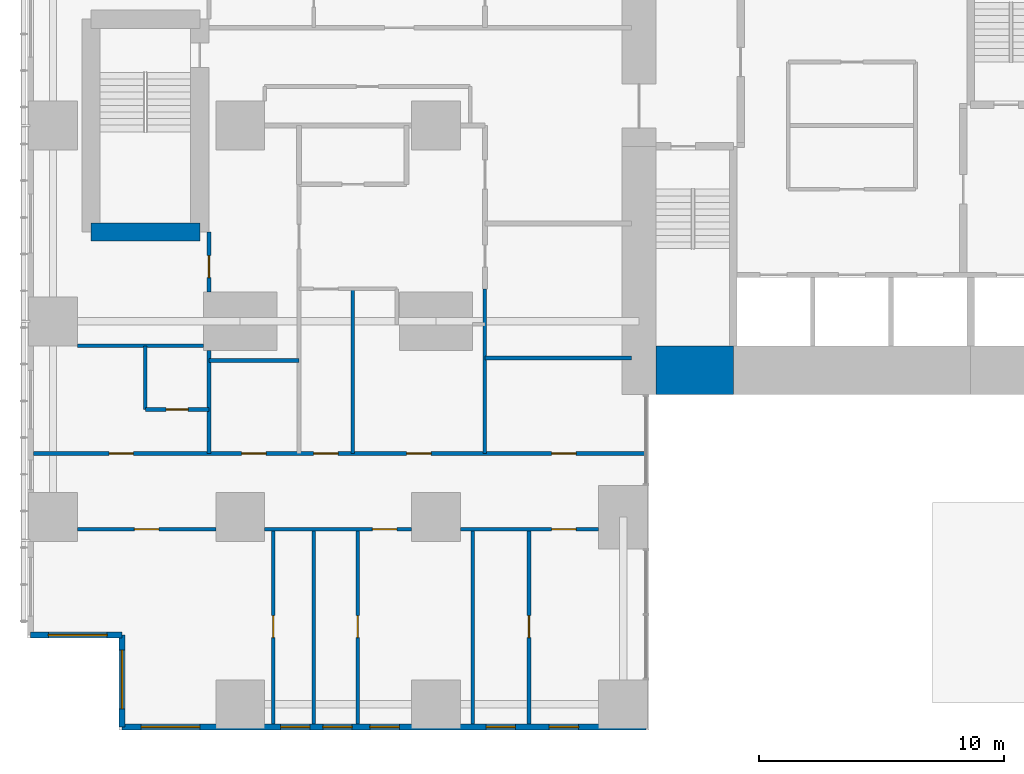
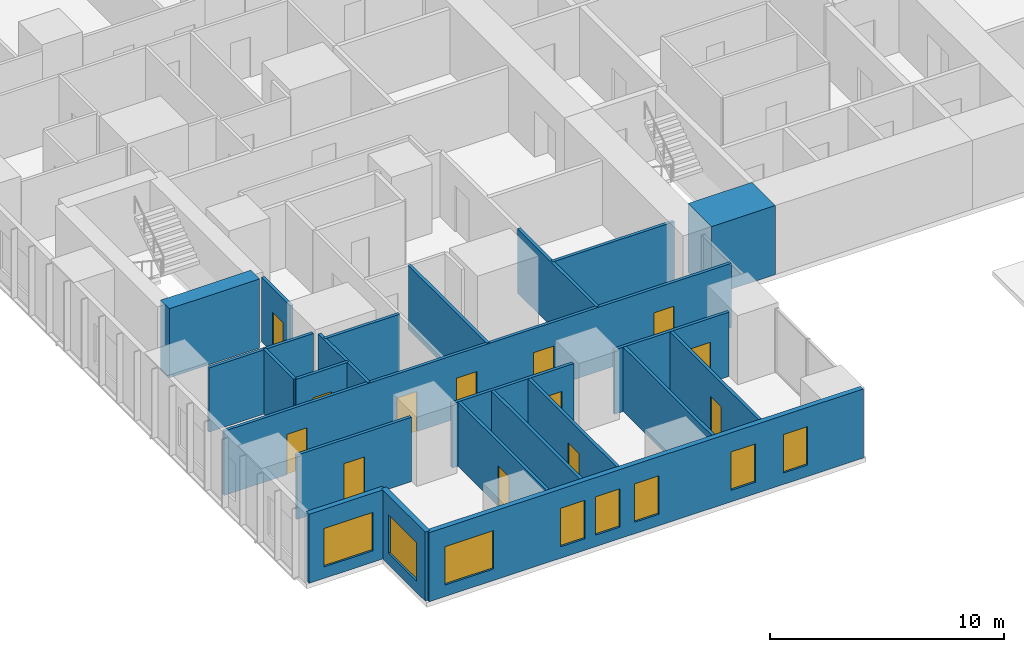
# One storey, part 14 of 22: 23 walls, 13 doors, 8 windows, 21 openings.
"""IFC4 building model written with IfcOpenShell, lengths in metres."""

from ifc_helpers import new_model, si_unit, direction, frame, frame_2d, origin, place, context, subcontext, project, spatial, rectangle, extrude, material, layer, layer_set, type_object, element, fill, save


model = new_model("IFC4")

# Units and contexts
model_context = context("Model", 3, precision=1e-05, world=origin(), true_north=direction((0.0, 1.0)))
body_context = subcontext(model_context, "Body", "Model", "MODEL_VIEW")
ifc_project = project(units=[si_unit("LENGTHUNIT", "METRE"), si_unit("AREAUNIT", "SQUARE_METRE"), si_unit("VOLUMEUNIT", "CUBIC_METRE"), si_unit("PLANEANGLEUNIT", "RADIAN"), si_unit("MASSUNIT", "GRAM", prefix="KILO")], contexts=[model_context])

# Site, building, storey
site_placement = place(None, origin())
site = spatial("IfcSite", under=ifc_project, at=site_placement, CompositionType="ELEMENT")
building_placement = place(site_placement, origin())
building = spatial("IfcBuilding", under=site, at=building_placement, Name="Cleftline Residences", CompositionType="ELEMENT")
storey_placement = place(building_placement, frame((0.0, 0.0, 29.60009765625)))
storey = spatial("IfcBuildingStorey", under=building, at=storey_placement, Name="L06", CompositionType="ELEMENT", Elevation=29.60009765625)

# Wall
ifc_material_1 = material(Name="Concrete B70", Category="concrete")
ifc_layer_1 = layer(ifc_material_1, 2.0)
ifc_layer_set_1 = layer_set([ifc_layer_1], Name="CORE WALL 2000")
wall_type_1 = type_object("IfcWallType", Name="CORE WALL 2000", PredefinedType="SHEAR", material=ifc_layer_set_1)
wall_1_placement = place(storey_placement, frame((25.0, 14.0, 0.0), z_axis=(0.0, 0.0, 1.0), x_axis=(1.0, 0.0, 0.0)))
element("IfcWall", 1, at=wall_1_placement, inside=storey, type_object=wall_type_1, Name="Core wall S1", PredefinedType="SHEAR", context=body_context, shape_type="SweptSolid", body=[
    extrude(rectangle(XDim=3.14990234375, YDim=2.0, at=frame_2d((1.574951171875, 0.0))), origin(), (0.0, 0.0, 1.0), 3.599853515625),
])

# Wall, opening, window
ifc_material_2 = material(Name="Rendered reinforced concrete blockwork", Category="masonry")
ifc_layer_2 = layer(ifc_material_2, 0.25)
ifc_layer_set_2 = layer_set([ifc_layer_2], Name="EXTERNAL WALL 250")
wall_type_2 = type_object("IfcWallType", Name="EXTERNAL WALL 250", PredefinedType="SOLIDWALL", material=ifc_layer_set_2)
wall_2_placement = place(storey_placement, frame((-0.574951171875, 3.175048828125, 0.0), z_axis=(0.0, 0.0, 1.0), x_axis=(1.0, 0.0, 0.0)))
wall_2 = element("IfcWall", 2, at=wall_2_placement, inside=storey, type_object=wall_type_2, Name="External wall", PredefinedType="SOLIDWALL", context=body_context, shape_type="SweptSolid", body=[
    extrude(rectangle(XDim=3.75, YDim=0.25, at=frame_2d((1.875, 0.0))), origin(), (0.0, 0.0, 1.0), 3.599853515625),
])
opening_1_placement = place(wall_2_placement, frame((0.737548828125, 0.0, 0.60009765625)))
opening_1 = element("IfcOpeningElement", 3, at=opening_1_placement, cuts=wall_2, Name="Opening W6", PredefinedType="OPENING", context=body_context, shape_type="SweptSolid", body=[
    extrude(rectangle(XDim=2.39990234375, YDim=2.0, at=frame_2d((1.199951171875, 1.0))), frame((0.0, 0.135009765625, 0.0), z_axis=(0.0, -1.0, 0.0), x_axis=(1.0, 0.0, 0.0)), (0.0, 0.0, 1.0), 0.27001953125),
])
ifc_material_3 = material(Name="Aluminium frame, clear double glazing", Category="aluminium")
window_type_1 = type_object("IfcWindowType", Name="WINDOW 2400X2000", PartitioningType="DOUBLE_PANEL_VERTICAL", PredefinedType="WINDOW", material=ifc_material_3)
window_1_placement = place(opening_1_placement, origin())
window_1 = element("IfcWindow", 4, at=window_1_placement, inside=storey, type_object=window_type_1, Name="Window", OverallHeight=2.0, OverallWidth=2.39990234375, PartitioningType="SINGLE_PANEL", PredefinedType="WINDOW", context=body_context, shape_type="SweptSolid", body=[
    extrude(rectangle(XDim=2.39990234375, YDim=2.0, at=frame_2d((1.199951171875, 1.0))), frame((0.0, 0.030029296875, 0.0), z_axis=(0.0, -1.0, 0.0), x_axis=(1.0, 0.0, 0.0)), (0.0, 0.0, 1.0), 0.06005859375),
])
fill(opening_1, window_1)

wall_3_placement = place(storey_placement, frame((3.175048828125, 3.175048828125, 0.0), z_axis=(0.0, 0.0, 1.0), x_axis=(0.0, -1.0, 0.0)))
wall_3 = element("IfcWall", 5, at=wall_3_placement, inside=storey, type_object=wall_type_2, Name="External wall", PredefinedType="SOLIDWALL", context=body_context, shape_type="SweptSolid", body=[
    extrude(rectangle(XDim=3.75, YDim=0.25, at=frame_2d((1.875, 0.0))), origin(), (0.0, 0.0, 1.0), 3.599853515625),
])
opening_2_placement = place(wall_3_placement, frame((0.612548828125, 0.0, 0.60009765625)))
opening_2 = element("IfcOpeningElement", 6, at=opening_2_placement, cuts=wall_3, Name="Opening W6", PredefinedType="OPENING", context=body_context, shape_type="SweptSolid", body=[
    extrude(rectangle(XDim=2.39990234375, YDim=2.0, at=frame_2d((1.199951171875, 1.0))), frame((0.0, 0.135009765625, 0.0), z_axis=(0.0, -1.0, 0.0), x_axis=(1.0, 0.0, 0.0)), (0.0, 0.0, 1.0), 0.27001953125),
])
window_2_placement = place(opening_2_placement, origin())
window_2 = element("IfcWindow", 7, at=window_2_placement, inside=storey, type_object=window_type_1, Name="Window", OverallHeight=2.0, OverallWidth=2.39990234375, PartitioningType="SINGLE_PANEL", PredefinedType="WINDOW", context=body_context, shape_type="SweptSolid", body=[
    extrude(rectangle(XDim=2.39990234375, YDim=2.0, at=frame_2d((1.199951171875, 1.0))), frame((0.0, 0.030029296875, 0.0), z_axis=(0.0, -1.0, 0.0), x_axis=(1.0, 0.0, 0.0)), (0.0, 0.0, 1.0), 0.06005859375),
])
fill(opening_2, window_2)

# Wall, openings, windows
wall_4_placement = place(storey_placement, frame((3.175048828125, -0.574951171875, 0.0), z_axis=(0.0, 0.0, 1.0), x_axis=(1.0, 0.0, 0.0)))
wall_4 = element("IfcWall", 8, at=wall_4_placement, inside=storey, type_object=wall_type_2, Name="External wall", PredefinedType="SOLIDWALL", context=body_context, shape_type="SweptSolid", body=[
    extrude(rectangle(XDim=21.39990234375, YDim=0.25, at=frame_2d((10.699951171875, 0.0))), origin(), (0.0, 0.0, 1.0), 3.599853515625),
])
opening_3_placement = place(wall_4_placement, frame((0.77490234375, 0.0, 0.60009765625)))
opening_3 = element("IfcOpeningElement", 9, at=opening_3_placement, cuts=wall_4, Name="Opening W6", PredefinedType="OPENING", context=body_context, shape_type="SweptSolid", body=[
    extrude(rectangle(XDim=2.39990234375, YDim=2.0, at=frame_2d((1.199951171875, 1.0))), frame((0.0, 0.135009765625, 0.0), z_axis=(0.0, -1.0, 0.0), x_axis=(1.0, 0.0, 0.0)), (0.0, 0.0, 1.0), 0.27001953125),
])
opening_4_placement = place(wall_4_placement, frame((6.47509765625, 0.0, 0.60009765625)))
opening_4 = element("IfcOpeningElement", 10, at=opening_4_placement, cuts=wall_4, Name="Opening W8", PredefinedType="OPENING", context=body_context, shape_type="SweptSolid", body=[
    extrude(rectangle(XDim=1.199951171875, YDim=2.0, at=frame_2d((0.60009765625, 1.0))), frame((0.0, 0.135009765625, 0.0), z_axis=(0.0, -1.0, 0.0), x_axis=(1.0, 0.0, 0.0)), (0.0, 0.0, 1.0), 0.27001953125),
])
opening_5_placement = place(wall_4_placement, frame((8.199951171875, 0.0, 0.60009765625)))
opening_5 = element("IfcOpeningElement", 11, at=opening_5_placement, cuts=wall_4, Name="Opening W8", PredefinedType="OPENING", context=body_context, shape_type="SweptSolid", body=[
    extrude(rectangle(XDim=1.199951171875, YDim=2.0, at=frame_2d((0.60009765625, 1.0))), frame((0.0, 0.135009765625, 0.0), z_axis=(0.0, -1.0, 0.0), x_axis=(1.0, 0.0, 0.0)), (0.0, 0.0, 1.0), 0.27001953125),
])
opening_6_placement = place(wall_4_placement, frame((10.125, 0.0, 0.60009765625)))
opening_6 = element("IfcOpeningElement", 12, at=opening_6_placement, cuts=wall_4, Name="Opening W8", PredefinedType="OPENING", context=body_context, shape_type="SweptSolid", body=[
    extrude(rectangle(XDim=1.199951171875, YDim=2.0, at=frame_2d((0.60009765625, 1.0))), frame((0.0, 0.135009765625, 0.0), z_axis=(0.0, -1.0, 0.0), x_axis=(1.0, 0.0, 0.0)), (0.0, 0.0, 1.0), 0.27001953125),
])
opening_7_placement = place(wall_4_placement, frame((14.875, 0.0, 0.60009765625)))
opening_7 = element("IfcOpeningElement", 13, at=opening_7_placement, cuts=wall_4, Name="Opening W8", PredefinedType="OPENING", context=body_context, shape_type="SweptSolid", body=[
    extrude(rectangle(XDim=1.199951171875, YDim=2.0, at=frame_2d((0.60009765625, 1.0))), frame((0.0, 0.135009765625, 0.0), z_axis=(0.0, -1.0, 0.0), x_axis=(1.0, 0.0, 0.0)), (0.0, 0.0, 1.0), 0.27001953125),
])
opening_8_placement = place(wall_4_placement, frame((17.449951171875, 0.0, 0.60009765625)))
opening_8 = element("IfcOpeningElement", 14, at=opening_8_placement, cuts=wall_4, Name="Opening W8", PredefinedType="OPENING", context=body_context, shape_type="SweptSolid", body=[
    extrude(rectangle(XDim=1.199951171875, YDim=2.0, at=frame_2d((0.60009765625, 1.0))), frame((0.0, 0.135009765625, 0.0), z_axis=(0.0, -1.0, 0.0), x_axis=(1.0, 0.0, 0.0)), (0.0, 0.0, 1.0), 0.27001953125),
])
ifc_material_4 = material(Name="Aluminium frame, clear double glazing", Category="aluminium")
window_type_2 = type_object("IfcWindowType", Name="WINDOW 1200X2000", PartitioningType="DOUBLE_PANEL_VERTICAL", PredefinedType="WINDOW", material=ifc_material_4)
window_3_placement = place(opening_4_placement, origin())
window_3 = element("IfcWindow", 15, at=window_3_placement, inside=storey, type_object=window_type_2, Name="Window", OverallHeight=2.0, OverallWidth=1.199951171875, PartitioningType="SINGLE_PANEL", PredefinedType="WINDOW", context=body_context, shape_type="SweptSolid", body=[
    extrude(rectangle(XDim=1.199951171875, YDim=2.0, at=frame_2d((0.60009765625, 1.0))), frame((0.0, 0.030029296875, 0.0), z_axis=(0.0, -1.0, 0.0), x_axis=(1.0, 0.0, 0.0)), (0.0, 0.0, 1.0), 0.06005859375),
])
fill(opening_4, window_3)
window_4_placement = place(opening_5_placement, origin())
window_4 = element("IfcWindow", 16, at=window_4_placement, inside=storey, type_object=window_type_2, Name="Window", OverallHeight=2.0, OverallWidth=1.199951171875, PartitioningType="SINGLE_PANEL", PredefinedType="WINDOW", context=body_context, shape_type="SweptSolid", body=[
    extrude(rectangle(XDim=1.199951171875, YDim=2.0, at=frame_2d((0.60009765625, 1.0))), frame((0.0, 0.030029296875, 0.0), z_axis=(0.0, -1.0, 0.0), x_axis=(1.0, 0.0, 0.0)), (0.0, 0.0, 1.0), 0.06005859375),
])
fill(opening_5, window_4)
window_5_placement = place(opening_6_placement, origin())
window_5 = element("IfcWindow", 17, at=window_5_placement, inside=storey, type_object=window_type_2, Name="Window", OverallHeight=2.0, OverallWidth=1.199951171875, PartitioningType="SINGLE_PANEL", PredefinedType="WINDOW", context=body_context, shape_type="SweptSolid", body=[
    extrude(rectangle(XDim=1.199951171875, YDim=2.0, at=frame_2d((0.60009765625, 1.0))), frame((0.0, 0.030029296875, 0.0), z_axis=(0.0, -1.0, 0.0), x_axis=(1.0, 0.0, 0.0)), (0.0, 0.0, 1.0), 0.06005859375),
])
fill(opening_6, window_5)
window_6_placement = place(opening_7_placement, origin())
window_6 = element("IfcWindow", 18, at=window_6_placement, inside=storey, type_object=window_type_2, Name="Window", OverallHeight=2.0, OverallWidth=1.199951171875, PartitioningType="SINGLE_PANEL", PredefinedType="WINDOW", context=body_context, shape_type="SweptSolid", body=[
    extrude(rectangle(XDim=1.199951171875, YDim=2.0, at=frame_2d((0.60009765625, 1.0))), frame((0.0, 0.030029296875, 0.0), z_axis=(0.0, -1.0, 0.0), x_axis=(1.0, 0.0, 0.0)), (0.0, 0.0, 1.0), 0.06005859375),
])
fill(opening_7, window_6)
window_7_placement = place(opening_8_placement, origin())
window_7 = element("IfcWindow", 19, at=window_7_placement, inside=storey, type_object=window_type_2, Name="Window", OverallHeight=2.0, OverallWidth=1.199951171875, PartitioningType="SINGLE_PANEL", PredefinedType="WINDOW", context=body_context, shape_type="SweptSolid", body=[
    extrude(rectangle(XDim=1.199951171875, YDim=2.0, at=frame_2d((0.60009765625, 1.0))), frame((0.0, 0.030029296875, 0.0), z_axis=(0.0, -1.0, 0.0), x_axis=(1.0, 0.0, 0.0)), (0.0, 0.0, 1.0), 0.06005859375),
])
fill(opening_8, window_7)
window_8_placement = place(opening_3_placement, origin())
window_8 = element("IfcWindow", 20, at=window_8_placement, inside=storey, type_object=window_type_1, Name="Window", OverallHeight=2.0, OverallWidth=2.39990234375, PartitioningType="SINGLE_PANEL", PredefinedType="WINDOW", context=body_context, shape_type="SweptSolid", body=[
    extrude(rectangle(XDim=2.39990234375, YDim=2.0, at=frame_2d((1.199951171875, 1.0))), frame((0.0, 0.030029296875, 0.0), z_axis=(0.0, -1.0, 0.0), x_axis=(1.0, 0.0, 0.0)), (0.0, 0.0, 1.0), 0.06005859375),
])
fill(opening_3, window_8)

# Wall, opening, door
ifc_material_5 = material(Name="Gypsum board on steel studs", Category="steel")
ifc_layer_3 = layer(ifc_material_5, 0.14990234375)
ifc_layer_set_3 = layer_set([ifc_layer_3], Name="PARTITION 150")
wall_type_3 = type_object("IfcWallType", Name="PARTITION 150", PredefinedType="PARTITIONING", material=ifc_layer_set_3)
wall_5_placement = place(storey_placement, frame((1.35009765625, 7.5, 0.0), z_axis=(0.0, 0.0, 1.0), x_axis=(1.0, 0.0, 0.0)))
wall_5 = element("IfcWall", 21, at=wall_5_placement, inside=storey, type_object=wall_type_3, Name="Partition", PredefinedType="PARTITIONING", context=body_context, shape_type="SweptSolid", body=[
    extrude(rectangle(XDim=5.64990234375, YDim=0.14990234375, at=frame_2d((2.824951171875, 0.0))), origin(), (0.0, 0.0, 1.0), 3.349853515625),
])
opening_9_placement = place(wall_5_placement, frame((2.324951171875, 0.0, 0.0)))
opening_9 = element("IfcOpeningElement", 22, at=opening_9_placement, cuts=wall_5, Name="Opening D2", PredefinedType="OPENING", context=body_context, shape_type="SweptSolid", body=[
    extrude(rectangle(XDim=1.0, YDim=2.10009765625, at=frame_2d((0.5, 1.050048828125))), frame((0.0, 0.0849609375, 0.0), z_axis=(0.0, -1.0, 0.0), x_axis=(1.0, 0.0, 0.0)), (0.0, 0.0, 1.0), 0.169921875),
])
ifc_material_6 = material(Name="Timber veneer on solid core", Category="wood")
door_type_1 = type_object("IfcDoorType", Name="DOOR 1000X2100", OperationType="SINGLE_SWING_LEFT", PredefinedType="DOOR", material=ifc_material_6)
door_1_placement = place(opening_9_placement, origin())
door_1 = element("IfcDoor", 23, at=door_1_placement, inside=storey, type_object=door_type_1, Name="Door to living room", OperationType="SINGLE_SWING_LEFT", OverallHeight=2.10009765625, OverallWidth=1.0, PredefinedType="DOOR", context=body_context, shape_type="SweptSolid", body=[
    extrude(rectangle(XDim=1.0, YDim=2.10009765625, at=frame_2d((0.5, 1.050048828125))), frame((0.0, 0.02490234375, 0.0), z_axis=(0.0, -1.0, 0.0), x_axis=(1.0, 0.0, 0.0)), (0.0, 0.0, 1.0), 0.050048828125),
])
fill(opening_9, door_1)

wall_6_placement = place(storey_placement, frame((9.0, 7.5, 0.0), z_axis=(0.0, 0.0, 1.0), x_axis=(1.0, 0.0, 0.0)))
wall_6 = element("IfcWall", 24, at=wall_6_placement, inside=storey, type_object=wall_type_3, Name="Partition", PredefinedType="PARTITIONING", context=body_context, shape_type="SweptSolid", body=[
    extrude(rectangle(XDim=6.0, YDim=0.14990234375, at=frame_2d((3.0, 0.0))), origin(), (0.0, 0.0, 1.0), 3.349853515625),
])
opening_10_placement = place(wall_6_placement, frame((4.39990234375, 0.0, 0.0)))
opening_10 = element("IfcOpeningElement", 25, at=opening_10_placement, cuts=wall_6, Name="Opening D2", PredefinedType="OPENING", context=body_context, shape_type="SweptSolid", body=[
    extrude(rectangle(XDim=1.0, YDim=2.10009765625, at=frame_2d((0.5, 1.050048828125))), frame((0.0, 0.0849609375, 0.0), z_axis=(0.0, -1.0, 0.0), x_axis=(1.0, 0.0, 0.0)), (0.0, 0.0, 1.0), 0.169921875),
])
door_2_placement = place(opening_10_placement, origin())
door_2 = element("IfcDoor", 26, at=door_2_placement, inside=storey, type_object=door_type_1, Name="Door to bedroom 2", OperationType="SINGLE_SWING_LEFT", OverallHeight=2.10009765625, OverallWidth=1.0, PredefinedType="DOOR", context=body_context, shape_type="SweptSolid", body=[
    extrude(rectangle(XDim=1.0, YDim=2.10009765625, at=frame_2d((0.5, 1.050048828125))), frame((0.0, 0.02490234375, 0.0), z_axis=(0.0, -1.0, 0.0), x_axis=(1.0, 0.0, 0.0)), (0.0, 0.0, 1.0), 0.050048828125),
])
fill(opening_10, door_2)

wall_7_placement = place(storey_placement, frame((17.0, 7.5, 0.0), z_axis=(0.0, 0.0, 1.0), x_axis=(1.0, 0.0, 0.0)))
wall_7 = element("IfcWall", 27, at=wall_7_placement, inside=storey, type_object=wall_type_3, Name="Partition", PredefinedType="PARTITIONING", context=body_context, shape_type="SweptSolid", body=[
    extrude(rectangle(XDim=5.64990234375, YDim=0.14990234375, at=frame_2d((2.824951171875, 0.0))), origin(), (0.0, 0.0, 1.0), 3.349853515625),
])
opening_11_placement = place(wall_7_placement, frame((3.72509765625, 0.0, 0.0)))
opening_11 = element("IfcOpeningElement", 28, at=opening_11_placement, cuts=wall_7, Name="Opening D2", PredefinedType="OPENING", context=body_context, shape_type="SweptSolid", body=[
    extrude(rectangle(XDim=1.0, YDim=2.10009765625, at=frame_2d((0.5, 1.050048828125))), frame((0.0, 0.0849609375, 0.0), z_axis=(0.0, -1.0, 0.0), x_axis=(1.0, 0.0, 0.0)), (0.0, 0.0, 1.0), 0.169921875),
])
door_3_placement = place(opening_11_placement, origin())
door_3 = element("IfcDoor", 29, at=door_3_placement, inside=storey, type_object=door_type_1, Name="Door to bedroom 3", OperationType="SINGLE_SWING_LEFT", OverallHeight=2.10009765625, OverallWidth=1.0, PredefinedType="DOOR", context=body_context, shape_type="SweptSolid", body=[
    extrude(rectangle(XDim=1.0, YDim=2.10009765625, at=frame_2d((0.5, 1.050048828125))), frame((0.0, 0.02490234375, 0.0), z_axis=(0.0, -1.0, 0.0), x_axis=(1.0, 0.0, 0.0)), (0.0, 0.0, 1.0), 0.050048828125),
])
fill(opening_11, door_3)

# Wall, openings, doors
wall_8_placement = place(storey_placement, frame((-0.449951171875, 10.60009765625, 0.0), z_axis=(0.0, 0.0, 1.0), x_axis=(1.0, 0.0, 0.0)))
wall_8 = element("IfcWall", 30, at=wall_8_placement, inside=storey, type_object=wall_type_3, Name="Partition", PredefinedType="PARTITIONING", context=body_context, shape_type="SweptSolid", body=[
    extrude(rectangle(XDim=25.010986328125, YDim=0.14990234375, at=frame_2d((12.50537109375, 0.0))), origin(), (0.0, 0.0, 1.0), 3.349853515625),
])
opening_12_placement = place(wall_8_placement, frame((11.449951171875, 0.0, 0.0)))
opening_12 = element("IfcOpeningElement", 31, at=opening_12_placement, cuts=wall_8, Name="Opening D2", PredefinedType="OPENING", context=body_context, shape_type="SweptSolid", body=[
    extrude(rectangle(XDim=1.0, YDim=2.10009765625, at=frame_2d((0.5, 1.050048828125))), frame((0.0, 0.0849609375, 0.0), z_axis=(0.0, -1.0, 0.0), x_axis=(1.0, 0.0, 0.0)), (0.0, 0.0, 1.0), 0.169921875),
])
opening_13_placement = place(wall_8_placement, frame((3.08740234375, 0.0, 0.0)))
opening_13 = element("IfcOpeningElement", 32, at=opening_13_placement, cuts=wall_8, Name="Opening D2", PredefinedType="OPENING", context=body_context, shape_type="SweptSolid", body=[
    extrude(rectangle(XDim=1.0, YDim=2.10009765625, at=frame_2d((0.5, 1.050048828125))), frame((0.0, 0.0849609375, 0.0), z_axis=(0.0, -1.0, 0.0), x_axis=(1.0, 0.0, 0.0)), (0.0, 0.0, 1.0), 0.169921875),
])
opening_14_placement = place(wall_8_placement, frame((8.512451171875, 0.0, 0.0)))
opening_14 = element("IfcOpeningElement", 33, at=opening_14_placement, cuts=wall_8, Name="Opening D2", PredefinedType="OPENING", context=body_context, shape_type="SweptSolid", body=[
    extrude(rectangle(XDim=1.0, YDim=2.10009765625, at=frame_2d((0.5, 1.050048828125))), frame((0.0, 0.0849609375, 0.0), z_axis=(0.0, -1.0, 0.0), x_axis=(1.0, 0.0, 0.0)), (0.0, 0.0, 1.0), 0.169921875),
])
opening_15_placement = place(wall_8_placement, frame((15.25, 0.0, 0.0)))
opening_15 = element("IfcOpeningElement", 34, at=opening_15_placement, cuts=wall_8, Name="Opening D2", PredefinedType="OPENING", context=body_context, shape_type="SweptSolid", body=[
    extrude(rectangle(XDim=1.0, YDim=2.10009765625, at=frame_2d((0.5, 1.050048828125))), frame((0.0, 0.0849609375, 0.0), z_axis=(0.0, -1.0, 0.0), x_axis=(1.0, 0.0, 0.0)), (0.0, 0.0, 1.0), 0.169921875),
])
opening_16_placement = place(wall_8_placement, frame((21.175048828125, 0.0, 0.0)))
opening_16 = element("IfcOpeningElement", 35, at=opening_16_placement, cuts=wall_8, Name="Opening D2", PredefinedType="OPENING", context=body_context, shape_type="SweptSolid", body=[
    extrude(rectangle(XDim=1.0, YDim=2.10009765625, at=frame_2d((0.5, 1.050048828125))), frame((0.0, 0.0849609375, 0.0), z_axis=(0.0, -1.0, 0.0), x_axis=(1.0, 0.0, 0.0)), (0.0, 0.0, 1.0), 0.169921875),
])
door_4_placement = place(opening_12_placement, origin())
door_4 = element("IfcDoor", 36, at=door_4_placement, inside=storey, type_object=door_type_1, Name="Door to residence hall", OperationType="SINGLE_SWING_RIGHT", OverallHeight=2.10009765625, OverallWidth=1.0, PredefinedType="DOOR", context=body_context, shape_type="SweptSolid", body=[
    extrude(rectangle(XDim=1.0, YDim=2.10009765625, at=frame_2d((0.5, 1.050048828125))), frame((0.0, 0.02490234375, 0.0), z_axis=(0.0, -1.0, 0.0), x_axis=(1.0, 0.0, 0.0)), (0.0, 0.0, 1.0), 0.050048828125),
])
fill(opening_12, door_4)
door_5_placement = place(opening_13_placement, origin())
door_5 = element("IfcDoor", 37, at=door_5_placement, inside=storey, type_object=door_type_1, Name="Door to master bedroom", OperationType="SINGLE_SWING_RIGHT", OverallHeight=2.10009765625, OverallWidth=1.0, PredefinedType="DOOR", context=body_context, shape_type="SweptSolid", body=[
    extrude(rectangle(XDim=1.0, YDim=2.10009765625, at=frame_2d((0.5, 1.050048828125))), frame((0.0, 0.02490234375, 0.0), z_axis=(0.0, -1.0, 0.0), x_axis=(1.0, 0.0, 0.0)), (0.0, 0.0, 1.0), 0.050048828125),
])
fill(opening_13, door_5)
door_6_placement = place(opening_14_placement, origin())
door_6 = element("IfcDoor", 38, at=door_6_placement, inside=storey, type_object=door_type_1, Name="Door to show kitchen", OperationType="SINGLE_SWING_RIGHT", OverallHeight=2.10009765625, OverallWidth=1.0, PredefinedType="DOOR", context=body_context, shape_type="SweptSolid", body=[
    extrude(rectangle(XDim=1.0, YDim=2.10009765625, at=frame_2d((0.5, 1.050048828125))), frame((0.0, 0.02490234375, 0.0), z_axis=(0.0, -1.0, 0.0), x_axis=(1.0, 0.0, 0.0)), (0.0, 0.0, 1.0), 0.050048828125),
])
fill(opening_14, door_6)
door_7_placement = place(opening_15_placement, origin())
door_7 = element("IfcDoor", 39, at=door_7_placement, inside=storey, type_object=door_type_1, Name="Door to dining room", OperationType="SINGLE_SWING_LEFT", OverallHeight=2.10009765625, OverallWidth=1.0, PredefinedType="DOOR", context=body_context, shape_type="SweptSolid", body=[
    extrude(rectangle(XDim=1.0, YDim=2.10009765625, at=frame_2d((0.5, 1.050048828125))), frame((0.0, 0.02490234375, 0.0), z_axis=(0.0, -1.0, 0.0), x_axis=(1.0, 0.0, 0.0)), (0.0, 0.0, 1.0), 0.050048828125),
])
fill(opening_15, door_7)
door_8_placement = place(opening_16_placement, origin())
door_8 = element("IfcDoor", 40, at=door_8_placement, inside=storey, type_object=door_type_1, Name="Door to wet kitchen", OperationType="SINGLE_SWING_LEFT", OverallHeight=2.10009765625, OverallWidth=1.0, PredefinedType="DOOR", context=body_context, shape_type="SweptSolid", body=[
    extrude(rectangle(XDim=1.0, YDim=2.10009765625, at=frame_2d((0.5, 1.050048828125))), frame((0.0, 0.02490234375, 0.0), z_axis=(0.0, -1.0, 0.0), x_axis=(1.0, 0.0, 0.0)), (0.0, 0.0, 1.0), 0.050048828125),
])
fill(opening_16, door_8)

# Wall, opening, door
wall_9_placement = place(storey_placement, frame((4.125, 12.39990234375, 0.0), z_axis=(0.0, 0.0, 1.0), x_axis=(1.0, 0.0, 0.0)))
wall_9 = element("IfcWall", 41, at=wall_9_placement, inside=storey, type_object=wall_type_3, Name="Partition", PredefinedType="PARTITIONING", context=body_context, shape_type="SweptSolid", body=[
    extrude(rectangle(XDim=2.60009765625, YDim=0.14990234375, at=frame_2d((1.300048828125, 0.0))), origin(), (0.0, 0.0, 1.0), 3.349853515625),
])
opening_17_placement = place(wall_9_placement, frame((0.85009765625, 0.0, 0.0)))
opening_17 = element("IfcOpeningElement", 42, at=opening_17_placement, cuts=wall_9, Name="Opening D1", PredefinedType="OPENING", context=body_context, shape_type="SweptSolid", body=[
    extrude(rectangle(XDim=0.89990234375, YDim=2.10009765625, at=frame_2d((0.449951171875, 1.050048828125))), frame((0.0, 0.0849609375, 0.0), z_axis=(0.0, -1.0, 0.0), x_axis=(1.0, 0.0, 0.0)), (0.0, 0.0, 1.0), 0.169921875),
])
ifc_material_7 = material(Name="Timber veneer on solid core", Category="wood")
door_type_2 = type_object("IfcDoorType", Name="DOOR 900X2100", OperationType="SINGLE_SWING_LEFT", PredefinedType="DOOR", material=ifc_material_7)
door_9_placement = place(opening_17_placement, origin())
door_9 = element("IfcDoor", 43, at=door_9_placement, inside=storey, type_object=door_type_2, Name="Door to master bathroom", OperationType="SINGLE_SWING_LEFT", OverallHeight=2.10009765625, OverallWidth=0.89990234375, PredefinedType="DOOR", context=body_context, shape_type="SweptSolid", body=[
    extrude(rectangle(XDim=0.89990234375, YDim=2.10009765625, at=frame_2d((0.449951171875, 1.050048828125))), frame((0.0, 0.02490234375, 0.0), z_axis=(0.0, -1.0, 0.0), x_axis=(1.0, 0.0, 0.0)), (0.0, 0.0, 1.0), 0.050048828125),
])
fill(opening_17, door_9)

# Walls
wall_10_placement = place(storey_placement, frame((6.72509765625, 14.39990234375, 0.0), z_axis=(0.0, 0.0, 1.0), x_axis=(1.0, 0.0, 0.0)))
element("IfcWall", 44, at=wall_10_placement, inside=storey, type_object=wall_type_3, Name="Partition", PredefinedType="PARTITIONING", context=body_context, shape_type="SweptSolid", body=[
    extrude(rectangle(XDim=3.6748046875, YDim=0.14990234375, at=frame_2d((1.83740234375, 0.0))), origin(), (0.0, 0.0, 1.0), 3.349853515625),
])
wall_11_placement = place(storey_placement, frame((18.0, 14.5, 0.0), z_axis=(0.0, 0.0, 1.0), x_axis=(1.0, 0.0, 0.0)))
element("IfcWall", 45, at=wall_11_placement, inside=storey, type_object=wall_type_3, Name="Partition", PredefinedType="PARTITIONING", context=body_context, shape_type="SweptSolid", body=[
    extrude(rectangle(XDim=6.0, YDim=0.14990234375, at=frame_2d((3.0, 0.0))), origin(), (0.0, 0.0, 1.0), 3.349853515625),
])
wall_12_placement = place(storey_placement, frame((1.35009765625, 15.0, 0.0), z_axis=(0.0, 0.0, 1.0), x_axis=(1.0, 0.0, 0.0)))
element("IfcWall", 46, at=wall_12_placement, inside=storey, type_object=wall_type_3, Name="Partition", PredefinedType="PARTITIONING", context=body_context, shape_type="SweptSolid", body=[
    extrude(rectangle(XDim=5.14990234375, YDim=0.14990234375, at=frame_2d((2.574951171875, 0.0))), origin(), (0.0, 0.0, 1.0), 3.349853515625),
])
wall_13_placement = place(storey_placement, frame((4.125, 12.39990234375, 0.0), z_axis=(0.0, 0.0, 1.0), x_axis=(0.0, 1.0, 0.0)))
element("IfcWall", 47, at=wall_13_placement, inside=storey, type_object=wall_type_3, Name="Partition", PredefinedType="PARTITIONING", context=body_context, shape_type="SweptSolid", body=[
    extrude(rectangle(XDim=2.60009765625, YDim=0.14990234375, at=frame_2d((1.300048828125, 0.0))), origin(), (0.0, 0.0, 1.0), 3.349853515625),
])
wall_14_placement = place(storey_placement, frame((6.72509765625, 10.60009765625, 0.0), z_axis=(0.0, 0.0, 1.0), x_axis=(0.0, 1.0, 0.0)))
element("IfcWall", 48, at=wall_14_placement, inside=storey, type_object=wall_type_3, Name="Partition", PredefinedType="PARTITIONING", context=body_context, shape_type="SweptSolid", body=[
    extrude(rectangle(XDim=4.199951171875, YDim=0.14990234375, at=frame_2d((2.10009765625, 0.0))), origin(), (0.0, 0.0, 1.0), 3.349853515625),
])

# Wall, opening, door
wall_15_placement = place(storey_placement, frame((6.72509765625, 17.199951171875, 0.0), z_axis=(0.0, 0.0, 1.0), x_axis=(0.0, 1.0, 0.0)))
wall_15 = element("IfcWall", 49, at=wall_15_placement, inside=storey, type_object=wall_type_3, Name="Partition", PredefinedType="PARTITIONING", context=body_context, shape_type="SweptSolid", body=[
    extrude(rectangle(XDim=2.449951171875, YDim=0.14990234375, at=frame_2d((1.22509765625, 0.0))), origin(), (0.0, 0.0, 1.0), 3.349853515625),
])
opening_18_placement = place(wall_15_placement, frame((0.58740234375, 0.0, 0.0)))
opening_18 = element("IfcOpeningElement", 50, at=opening_18_placement, cuts=wall_15, Name="Opening D1", PredefinedType="OPENING", context=body_context, shape_type="SweptSolid", body=[
    extrude(rectangle(XDim=0.89990234375, YDim=2.10009765625, at=frame_2d((0.449951171875, 1.050048828125))), frame((0.0, 0.0849609375, 0.0), z_axis=(0.0, -1.0, 0.0), x_axis=(1.0, 0.0, 0.0)), (0.0, 0.0, 1.0), 0.169921875),
])
door_10_placement = place(opening_18_placement, origin())
door_10 = element("IfcDoor", 51, at=door_10_placement, inside=storey, type_object=door_type_2, Name="Door to drying loggia", OperationType="SINGLE_SWING_RIGHT", OverallHeight=2.10009765625, OverallWidth=0.89990234375, PredefinedType="DOOR", context=body_context, shape_type="SweptSolid", body=[
    extrude(rectangle(XDim=0.89990234375, YDim=2.10009765625, at=frame_2d((0.449951171875, 1.050048828125))), frame((0.0, 0.02490234375, 0.0), z_axis=(0.0, -1.0, 0.0), x_axis=(1.0, 0.0, 0.0)), (0.0, 0.0, 1.0), 0.050048828125),
])
fill(opening_18, door_10)

wall_16_placement = place(storey_placement, frame((9.35009765625, -0.449951171875, 0.0), z_axis=(0.0, 0.0, 1.0), x_axis=(0.0, 1.0, 0.0)))
wall_16 = element("IfcWall", 52, at=wall_16_placement, inside=storey, type_object=wall_type_3, Name="Partition", PredefinedType="PARTITIONING", context=body_context, shape_type="SweptSolid", body=[
    extrude(rectangle(XDim=7.949951171875, YDim=0.14990234375, at=frame_2d((3.97509765625, 0.0))), origin(), (0.0, 0.0, 1.0), 3.349853515625),
])
opening_19_placement = place(wall_16_placement, frame((3.52490234375, 0.0, 0.0)))
opening_19 = element("IfcOpeningElement", 53, at=opening_19_placement, cuts=wall_16, Name="Opening D1", PredefinedType="OPENING", context=body_context, shape_type="SweptSolid", body=[
    extrude(rectangle(XDim=0.89990234375, YDim=2.10009765625, at=frame_2d((0.449951171875, 1.050048828125))), frame((0.0, 0.0849609375, 0.0), z_axis=(0.0, -1.0, 0.0), x_axis=(1.0, 0.0, 0.0)), (0.0, 0.0, 1.0), 0.169921875),
])
door_11_placement = place(opening_19_placement, origin())
door_11 = element("IfcDoor", 54, at=door_11_placement, inside=storey, type_object=door_type_2, Name="Door to store room", OperationType="SINGLE_SWING_LEFT", OverallHeight=2.10009765625, OverallWidth=0.89990234375, PredefinedType="DOOR", context=body_context, shape_type="SweptSolid", body=[
    extrude(rectangle(XDim=0.89990234375, YDim=2.10009765625, at=frame_2d((0.449951171875, 1.050048828125))), frame((0.0, 0.02490234375, 0.0), z_axis=(0.0, -1.0, 0.0), x_axis=(1.0, 0.0, 0.0)), (0.0, 0.0, 1.0), 0.050048828125),
])
fill(opening_19, door_11)

# Walls
wall_17_placement = place(storey_placement, frame((11.0, -0.449951171875, 0.0), z_axis=(0.0, 0.0, 1.0), x_axis=(0.0, 1.0, 0.0)))
element("IfcWall", 55, at=wall_17_placement, inside=storey, type_object=wall_type_3, Name="Partition", PredefinedType="PARTITIONING", context=body_context, shape_type="SweptSolid", body=[
    extrude(rectangle(XDim=7.949951171875, YDim=0.14990234375, at=frame_2d((3.97509765625, 0.0))), origin(), (0.0, 0.0, 1.0), 3.349853515625),
])
wall_18_placement = place(storey_placement, frame((12.60009765625, 10.60009765625, 0.0), z_axis=(0.0, 0.0, 1.0), x_axis=(0.0, 1.0, 0.0)))
element("IfcWall", 56, at=wall_18_placement, inside=storey, type_object=wall_type_3, Name="Partition", PredefinedType="PARTITIONING", context=body_context, shape_type="SweptSolid", body=[
    extrude(rectangle(XDim=6.724853515625, YDim=0.14990234375, at=frame_2d((3.3623046875, 0.0))), origin(), (0.0, 0.0, 1.0), 3.349853515625),
])

# Wall, opening, door
wall_19_placement = place(storey_placement, frame((12.800048828125, -0.449951171875, 0.0), z_axis=(0.0, 0.0, 1.0), x_axis=(0.0, 1.0, 0.0)))
wall_19 = element("IfcWall", 57, at=wall_19_placement, inside=storey, type_object=wall_type_3, Name="Partition", PredefinedType="PARTITIONING", context=body_context, shape_type="SweptSolid", body=[
    extrude(rectangle(XDim=7.949951171875, YDim=0.14990234375, at=frame_2d((3.97509765625, 0.0))), origin(), (0.0, 0.0, 1.0), 3.349853515625),
])
opening_20_placement = place(wall_19_placement, frame((3.52490234375, 0.0, 0.0)))
opening_20 = element("IfcOpeningElement", 58, at=opening_20_placement, cuts=wall_19, Name="Opening D1", PredefinedType="OPENING", context=body_context, shape_type="SweptSolid", body=[
    extrude(rectangle(XDim=0.89990234375, YDim=2.10009765625, at=frame_2d((0.449951171875, 1.050048828125))), frame((0.0, 0.0849609375, 0.0), z_axis=(0.0, -1.0, 0.0), x_axis=(1.0, 0.0, 0.0)), (0.0, 0.0, 1.0), 0.169921875),
])
door_12_placement = place(opening_20_placement, origin())
door_12 = element("IfcDoor", 59, at=door_12_placement, inside=storey, type_object=door_type_2, Name="Door to en-suite bathroom 2", OperationType="SINGLE_SWING_LEFT", OverallHeight=2.10009765625, OverallWidth=0.89990234375, PredefinedType="DOOR", context=body_context, shape_type="SweptSolid", body=[
    extrude(rectangle(XDim=0.89990234375, YDim=2.10009765625, at=frame_2d((0.449951171875, 1.050048828125))), frame((0.0, 0.02490234375, 0.0), z_axis=(0.0, -1.0, 0.0), x_axis=(1.0, 0.0, 0.0)), (0.0, 0.0, 1.0), 0.050048828125),
])
fill(opening_20, door_12)

# Walls
wall_20_placement = place(storey_placement, frame((17.5, -0.449951171875, 0.0), z_axis=(0.0, 0.0, 1.0), x_axis=(0.0, 1.0, 0.0)))
element("IfcWall", 60, at=wall_20_placement, inside=storey, type_object=wall_type_3, Name="Partition", PredefinedType="PARTITIONING", context=body_context, shape_type="SweptSolid", body=[
    extrude(rectangle(XDim=7.949951171875, YDim=0.14990234375, at=frame_2d((3.97509765625, 0.0))), origin(), (0.0, 0.0, 1.0), 3.349853515625),
])
wall_21_placement = place(storey_placement, frame((18.0, 10.60009765625, 0.0), z_axis=(0.0, 0.0, 1.0), x_axis=(0.0, 1.0, 0.0)))
element("IfcWall", 61, at=wall_21_placement, inside=storey, type_object=wall_type_3, Name="Partition", PredefinedType="PARTITIONING", context=body_context, shape_type="SweptSolid", body=[
    extrude(rectangle(XDim=6.724853515625, YDim=0.14990234375, at=frame_2d((3.3623046875, 0.0))), origin(), (0.0, 0.0, 1.0), 3.349853515625),
])

# Wall, opening, door
wall_22_placement = place(storey_placement, frame((19.800048828125, -0.449951171875, 0.0), z_axis=(0.0, 0.0, 1.0), x_axis=(0.0, 1.0, 0.0)))
wall_22 = element("IfcWall", 62, at=wall_22_placement, inside=storey, type_object=wall_type_3, Name="Partition", PredefinedType="PARTITIONING", context=body_context, shape_type="SweptSolid", body=[
    extrude(rectangle(XDim=7.949951171875, YDim=0.14990234375, at=frame_2d((3.97509765625, 0.0))), origin(), (0.0, 0.0, 1.0), 3.349853515625),
])
opening_21_placement = place(wall_22_placement, frame((3.52490234375, 0.0, 0.0)))
opening_21 = element("IfcOpeningElement", 63, at=opening_21_placement, cuts=wall_22, Name="Opening D1", PredefinedType="OPENING", context=body_context, shape_type="SweptSolid", body=[
    extrude(rectangle(XDim=0.89990234375, YDim=2.10009765625, at=frame_2d((0.449951171875, 1.050048828125))), frame((0.0, 0.0849609375, 0.0), z_axis=(0.0, -1.0, 0.0), x_axis=(1.0, 0.0, 0.0)), (0.0, 0.0, 1.0), 0.169921875),
])
door_13_placement = place(opening_21_placement, origin())
door_13 = element("IfcDoor", 64, at=door_13_placement, inside=storey, type_object=door_type_2, Name="Door to en-suite bathroom 3", OperationType="SINGLE_SWING_LEFT", OverallHeight=2.10009765625, OverallWidth=0.89990234375, PredefinedType="DOOR", context=body_context, shape_type="SweptSolid", body=[
    extrude(rectangle(XDim=0.89990234375, YDim=2.10009765625, at=frame_2d((0.449951171875, 1.050048828125))), frame((0.0, 0.02490234375, 0.0), z_axis=(0.0, -1.0, 0.0), x_axis=(1.0, 0.0, 0.0)), (0.0, 0.0, 1.0), 0.050048828125),
])
fill(opening_21, door_13)

# Wall
ifc_material_8 = material(Name="Concrete B70", Category="concrete")
ifc_layer_4 = layer(ifc_material_8, 0.75)
ifc_layer_set_4 = layer_set([ifc_layer_4], Name="SHEAR WALL 750")
wall_type_4 = type_object("IfcWallType", Name="SHEAR WALL 750", PredefinedType="SHEAR", material=ifc_layer_set_4)
wall_23_placement = place(storey_placement, frame((1.89990234375, 19.64990234375, 0.0), z_axis=(0.0, 0.0, 1.0), x_axis=(1.0, 0.0, 0.0)))
element("IfcWall", 65, at=wall_23_placement, inside=storey, type_object=wall_type_4, Name="Wing shear wall", PredefinedType="SHEAR", context=body_context, shape_type="SweptSolid", body=[
    extrude(rectangle(XDim=4.4501953125, YDim=0.75, at=frame_2d((2.22509765625, 0.0))), origin(), (0.0, 0.0, 1.0), 3.599853515625),
])

save(model, "model.ifc")
